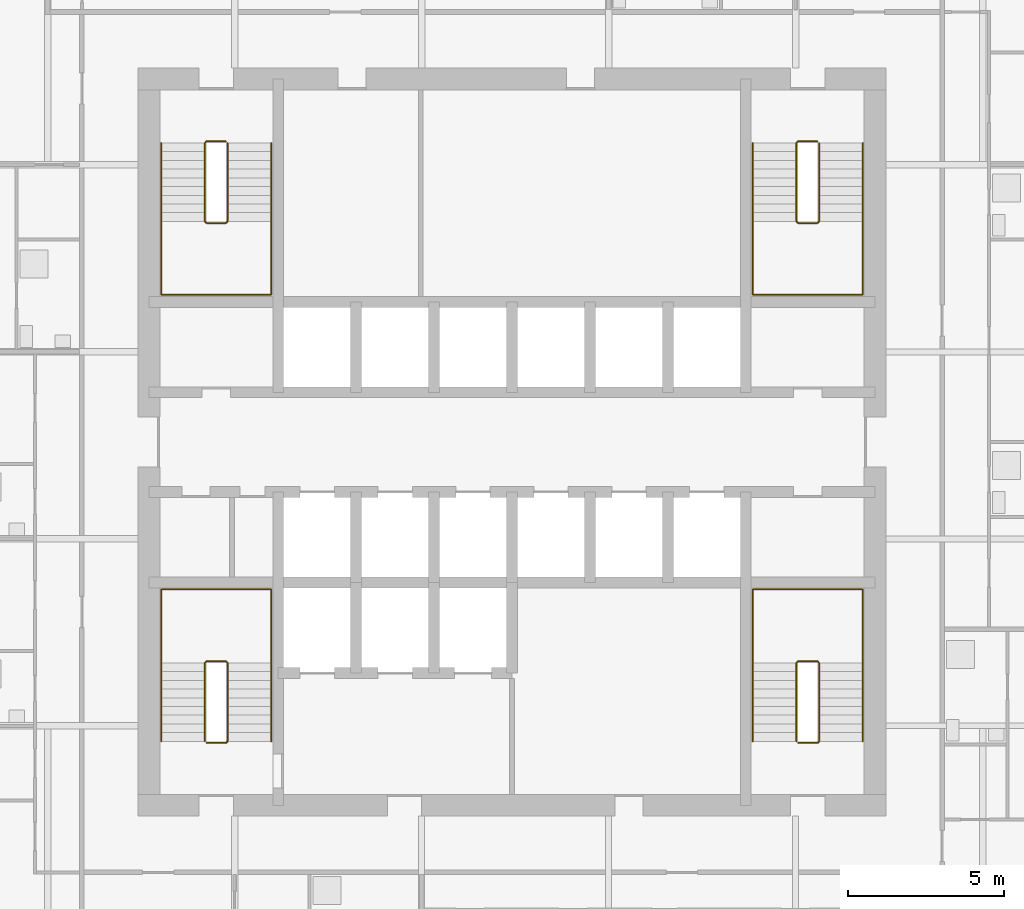
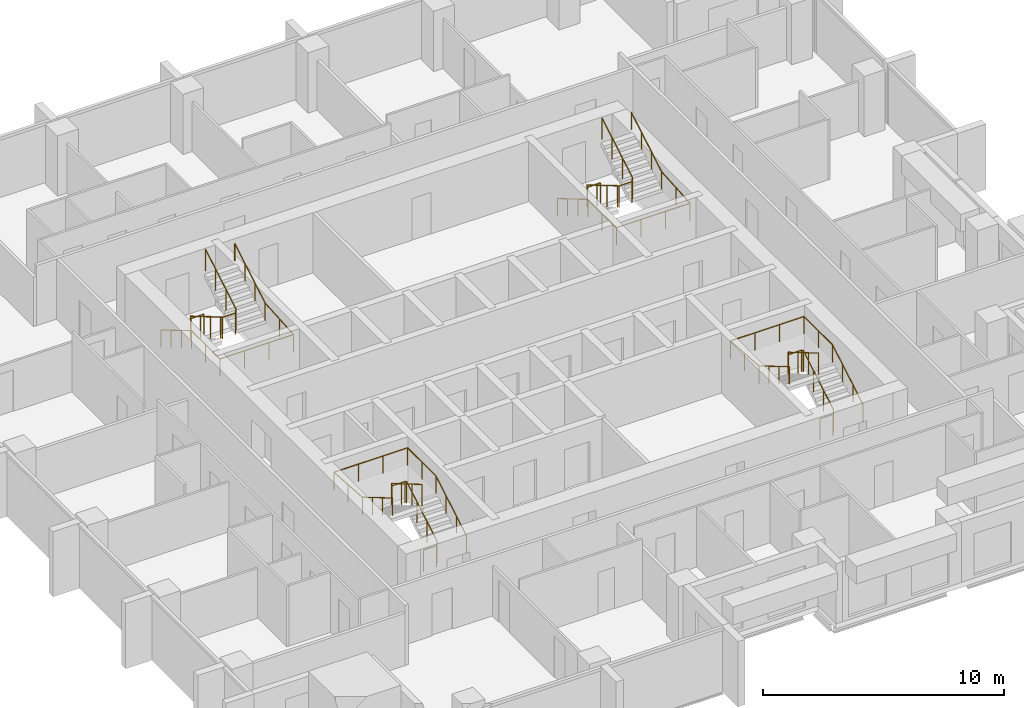
# One storey, part 9 of 10: 8 railings.
"""IFC4 building model written with IfcOpenShell, lengths in metres."""

from ifc_helpers import new_model, si_unit, direction, frame, origin, origin_2d, place, context, subcontext, project, spatial, circle, extrude, material, type_object, element, save


model = new_model("IFC4")

# Units and contexts
model_context = context("Model", 3, precision=1e-05, world=origin(), true_north=direction((0.0, 1.0)))
body_context = subcontext(model_context, "Body", "Model", "MODEL_VIEW")
ifc_project = project(units=[si_unit("LENGTHUNIT", "METRE"), si_unit("AREAUNIT", "SQUARE_METRE"), si_unit("VOLUMEUNIT", "CUBIC_METRE"), si_unit("PLANEANGLEUNIT", "RADIAN"), si_unit("MASSUNIT", "GRAM", prefix="KILO")], contexts=[model_context])

# Site, building, storey
site_placement = place(None, origin())
site = spatial("IfcSite", under=ifc_project, at=site_placement, CompositionType="ELEMENT")
building_placement = place(site_placement, origin())
building = spatial("IfcBuilding", under=site, at=building_placement, Name="Amberfall Residences", CompositionType="ELEMENT")
storey_placement = place(building_placement, frame((0.0, 0.0, 140.5)))
storey = spatial("IfcBuildingStorey", under=building, at=storey_placement, Name="L37", CompositionType="ELEMENT", Elevation=140.5)

# Railings
ifc_material = material(Name="Stainless steel 316", Category="steel")
railing_type_1 = type_object("IfcRailingType", Name="Stair guard 1100", PredefinedType="GUARDRAIL", material=ifc_material)
railing_1_placement = place(storey_placement, frame((64.699951171875, 35.85009765625, 0.0)))
element("IfcRailing", 1, at=railing_1_placement, inside=storey, type_object=railing_type_1, Name="L37 stair 1 guard", PredefinedType="GUARDRAIL", context=body_context, shape_type="SweptSolid", body=[
    extrude(circle(Radius=0.02392578125, at=origin_2d()), frame((0.0, 0.0, 1.076171875), z_axis=(1.0, 0.0, 0.0), x_axis=(0.0, 1.0, 0.0)), (0.0, 0.0, 1.0), 0.625),
    extrude(circle(Radius=0.02392578125, at=origin_2d()), frame((0.625, 0.0, 1.076171875), z_axis=(0.278810427259, 0.277450376394, 0.919394384522), x_axis=(-0.705375805398, 0.708833529934, 0.0)), (0.0, 0.0, 1.0), 0.179443359375),
    extrude(circle(Radius=0.02392578125, at=origin_2d()), frame((0.675048828125, 0.0498046875, 1.2412109375), z_axis=(0.0, 0.861560626758, 0.507654692109), x_axis=(-1.0, 0.0, 0.0)), (0.0, 0.0, 1.0), 2.925048828125),
    extrude(circle(Radius=0.02392578125, at=origin_2d()), frame((0.675048828125, 2.56982421875, 2.72607421875), z_axis=(-0.707106781187, 0.707106781187, 0.0), x_axis=(-0.707106781187, -0.707106781187, 0.0)), (0.0, 0.0, 1.0), 0.07080078125),
    extrude(circle(Radius=0.02392578125, at=origin_2d()), frame((0.625, 2.619873046875, 2.72607421875), z_axis=(-1.0, 0.0, 0.0), x_axis=(0.0, -1.0, 0.0)), (0.0, 0.0, 1.0), 0.625),
    extrude(circle(Radius=0.02392578125, at=origin_2d()), frame((0.0, 2.619873046875, 2.72607421875), z_axis=(-0.278705021027, -0.278705021027, 0.919046801044), x_axis=(0.707106781187, -0.707106781187, 0.0)), (0.0, 0.0, 1.0), 0.1796875),
    extrude(circle(Radius=0.02392578125, at=origin_2d()), frame((-0.050048828125, 2.56982421875, 2.89111328125), z_axis=(0.0, -0.86152411907, 0.507716645641), x_axis=(1.0, 0.0, 0.0)), (0.0, 0.0, 1.0), 2.925048828125),
    extrude(circle(Radius=0.02099609375, at=origin_2d()), origin(), (0.0, 0.0, 1.0), 1.052001953125),
    extrude(circle(Radius=0.02099609375, at=origin_2d()), frame((0.625, 0.0, 0.0)), (0.0, 0.0, 1.0), 1.052001953125),
    extrude(circle(Radius=0.02099609375, at=origin_2d()), frame((0.675048828125, 0.0498046875, 0.1650390625)), (0.0, 0.0, 1.0), 1.052001953125),
    extrude(circle(Radius=0.02099609375, at=origin_2d()), frame((0.675048828125, 0.889892578125, 0.659912109375)), (0.0, 0.0, 1.0), 1.052001953125),
    extrude(circle(Radius=0.02099609375, at=origin_2d()), frame((0.675048828125, 1.729736328125, 1.155029296875)), (0.0, 0.0, 1.0), 1.052001953125),
    extrude(circle(Radius=0.02099609375, at=origin_2d()), frame((0.675048828125, 2.56982421875, 1.64990234375)), (0.0, 0.0, 1.0), 1.052001953125),
    extrude(circle(Radius=0.02099609375, at=origin_2d()), frame((0.625, 2.619873046875, 1.64990234375)), (0.0, 0.0, 1.0), 1.052001953125),
    extrude(circle(Radius=0.02099609375, at=origin_2d()), frame((0.0, 2.619873046875, 1.64990234375)), (0.0, 0.0, 1.0), 1.052001953125),
    extrude(circle(Radius=0.02099609375, at=origin_2d()), frame((-0.050048828125, 2.56982421875, 1.81494140625)), (0.0, 0.0, 1.0), 1.052001953125),
    extrude(circle(Radius=0.02099609375, at=origin_2d()), frame((-0.050048828125, 1.729736328125, 2.31005859375)), (0.0, 0.0, 1.0), 1.052001953125),
    extrude(circle(Radius=0.02099609375, at=origin_2d()), frame((-0.050048828125, 0.889892578125, 2.804931640625)), (0.0, 0.0, 1.0), 1.052001953125),
    extrude(circle(Radius=0.02099609375, at=origin_2d()), frame((-0.050048828125, 0.0498046875, 3.300048828125)), (0.0, 0.0, 1.0), 1.052001953125),
])
railing_2_placement = place(storey_placement, frame((83.675048828125, 35.85009765625, 0.0)))
element("IfcRailing", 2, at=railing_2_placement, inside=storey, type_object=railing_type_1, Name="L37 stair 2 guard", PredefinedType="GUARDRAIL", context=body_context, shape_type="SweptSolid", body=[
    extrude(circle(Radius=0.02392578125, at=origin_2d()), frame((0.0, 0.0, 1.076171875), z_axis=(1.0, 0.0, 0.0), x_axis=(0.0, 1.0, 0.0)), (0.0, 0.0, 1.0), 0.625),
    extrude(circle(Radius=0.02392578125, at=origin_2d()), frame((0.625, 0.0, 1.076171875), z_axis=(0.278810427259, 0.277450376394, 0.919394384522), x_axis=(-0.705375805398, 0.708833529934, 0.0)), (0.0, 0.0, 1.0), 0.179443359375),
    extrude(circle(Radius=0.02392578125, at=origin_2d()), frame((0.675048828125, 0.0498046875, 1.2412109375), z_axis=(0.0, 0.861560626758, 0.507654692109), x_axis=(-1.0, 0.0, 0.0)), (0.0, 0.0, 1.0), 2.925048828125),
    extrude(circle(Radius=0.02392578125, at=origin_2d()), frame((0.675048828125, 2.56982421875, 2.72607421875), z_axis=(-0.707106781187, 0.707106781187, 0.0), x_axis=(-0.707106781187, -0.707106781187, 0.0)), (0.0, 0.0, 1.0), 0.07080078125),
    extrude(circle(Radius=0.02392578125, at=origin_2d()), frame((0.625, 2.619873046875, 2.72607421875), z_axis=(-1.0, 0.0, 0.0), x_axis=(0.0, -1.0, 0.0)), (0.0, 0.0, 1.0), 0.625),
    extrude(circle(Radius=0.02392578125, at=origin_2d()), frame((0.0, 2.619873046875, 2.72607421875), z_axis=(-0.278705021027, -0.278705021027, 0.919046801044), x_axis=(0.707106781187, -0.707106781187, 0.0)), (0.0, 0.0, 1.0), 0.1796875),
    extrude(circle(Radius=0.02392578125, at=origin_2d()), frame((-0.050048828125, 2.56982421875, 2.89111328125), z_axis=(0.0, -0.86152411907, 0.507716645641), x_axis=(1.0, 0.0, 0.0)), (0.0, 0.0, 1.0), 2.925048828125),
    extrude(circle(Radius=0.02099609375, at=origin_2d()), origin(), (0.0, 0.0, 1.0), 1.052001953125),
    extrude(circle(Radius=0.02099609375, at=origin_2d()), frame((0.625, 0.0, 0.0)), (0.0, 0.0, 1.0), 1.052001953125),
    extrude(circle(Radius=0.02099609375, at=origin_2d()), frame((0.675048828125, 0.0498046875, 0.1650390625)), (0.0, 0.0, 1.0), 1.052001953125),
    extrude(circle(Radius=0.02099609375, at=origin_2d()), frame((0.675048828125, 0.889892578125, 0.659912109375)), (0.0, 0.0, 1.0), 1.052001953125),
    extrude(circle(Radius=0.02099609375, at=origin_2d()), frame((0.675048828125, 1.729736328125, 1.155029296875)), (0.0, 0.0, 1.0), 1.052001953125),
    extrude(circle(Radius=0.02099609375, at=origin_2d()), frame((0.675048828125, 2.56982421875, 1.64990234375)), (0.0, 0.0, 1.0), 1.052001953125),
    extrude(circle(Radius=0.02099609375, at=origin_2d()), frame((0.625, 2.619873046875, 1.64990234375)), (0.0, 0.0, 1.0), 1.052001953125),
    extrude(circle(Radius=0.02099609375, at=origin_2d()), frame((0.0, 2.619873046875, 1.64990234375)), (0.0, 0.0, 1.0), 1.052001953125),
    extrude(circle(Radius=0.02099609375, at=origin_2d()), frame((-0.050048828125, 2.56982421875, 1.81494140625)), (0.0, 0.0, 1.0), 1.052001953125),
    extrude(circle(Radius=0.02099609375, at=origin_2d()), frame((-0.050048828125, 1.729736328125, 2.31005859375)), (0.0, 0.0, 1.0), 1.052001953125),
    extrude(circle(Radius=0.02099609375, at=origin_2d()), frame((-0.050048828125, 0.889892578125, 2.804931640625)), (0.0, 0.0, 1.0), 1.052001953125),
    extrude(circle(Radius=0.02099609375, at=origin_2d()), frame((-0.050048828125, 0.0498046875, 3.300048828125)), (0.0, 0.0, 1.0), 1.052001953125),
])
railing_3_placement = place(storey_placement, frame((84.300048828125, 55.14990234375, 0.0)))
element("IfcRailing", 3, at=railing_3_placement, inside=storey, type_object=railing_type_1, Name="L37 stair 3 guard", PredefinedType="GUARDRAIL", context=body_context, shape_type="SweptSolid", body=[
    extrude(circle(Radius=0.02392578125, at=origin_2d()), frame((0.0, 0.0, 1.076171875), z_axis=(-1.0, 0.0, 0.0), x_axis=(0.0, -1.0, 0.0)), (0.0, 0.0, 1.0), 0.625),
    extrude(circle(Radius=0.02392578125, at=origin_2d()), frame((-0.625, 0.0, 1.076171875), z_axis=(-0.278810427259, -0.277450376394, 0.919394384522), x_axis=(0.705375805398, -0.708833529934, 0.0)), (0.0, 0.0, 1.0), 0.179443359375),
    extrude(circle(Radius=0.02392578125, at=origin_2d()), frame((-0.675048828125, -0.0498046875, 1.2412109375), z_axis=(0.0, -0.861560626758, 0.507654692109), x_axis=(1.0, 0.0, 0.0)), (0.0, 0.0, 1.0), 2.925048828125),
    extrude(circle(Radius=0.02392578125, at=origin_2d()), frame((-0.675048828125, -2.56982421875, 2.72607421875), z_axis=(0.707106781187, -0.707106781187, 0.0), x_axis=(0.707106781187, 0.707106781187, 0.0)), (0.0, 0.0, 1.0), 0.07080078125),
    extrude(circle(Radius=0.02392578125, at=origin_2d()), frame((-0.625, -2.619873046875, 2.72607421875), z_axis=(1.0, 0.0, 0.0), x_axis=(0.0, 1.0, 0.0)), (0.0, 0.0, 1.0), 0.625),
    extrude(circle(Radius=0.02392578125, at=origin_2d()), frame((0.0, -2.619873046875, 2.72607421875), z_axis=(0.278705021027, 0.278705021027, 0.919046801044), x_axis=(-0.707106781187, 0.707106781187, 0.0)), (0.0, 0.0, 1.0), 0.1796875),
    extrude(circle(Radius=0.02392578125, at=origin_2d()), frame((0.050048828125, -2.56982421875, 2.89111328125), z_axis=(0.0, 0.86152411907, 0.507716645641), x_axis=(-1.0, 0.0, 0.0)), (0.0, 0.0, 1.0), 2.925048828125),
    extrude(circle(Radius=0.02099609375, at=origin_2d()), origin(), (0.0, 0.0, 1.0), 1.052001953125),
    extrude(circle(Radius=0.02099609375, at=origin_2d()), frame((-0.625, 0.0, 0.0)), (0.0, 0.0, 1.0), 1.052001953125),
    extrude(circle(Radius=0.02099609375, at=origin_2d()), frame((-0.675048828125, -0.0498046875, 0.1650390625)), (0.0, 0.0, 1.0), 1.052001953125),
    extrude(circle(Radius=0.02099609375, at=origin_2d()), frame((-0.675048828125, -0.889892578125, 0.659912109375)), (0.0, 0.0, 1.0), 1.052001953125),
    extrude(circle(Radius=0.02099609375, at=origin_2d()), frame((-0.675048828125, -1.729736328125, 1.155029296875)), (0.0, 0.0, 1.0), 1.052001953125),
    extrude(circle(Radius=0.02099609375, at=origin_2d()), frame((-0.675048828125, -2.56982421875, 1.64990234375)), (0.0, 0.0, 1.0), 1.052001953125),
    extrude(circle(Radius=0.02099609375, at=origin_2d()), frame((-0.625, -2.619873046875, 1.64990234375)), (0.0, 0.0, 1.0), 1.052001953125),
    extrude(circle(Radius=0.02099609375, at=origin_2d()), frame((0.0, -2.619873046875, 1.64990234375)), (0.0, 0.0, 1.0), 1.052001953125),
    extrude(circle(Radius=0.02099609375, at=origin_2d()), frame((0.050048828125, -2.56982421875, 1.81494140625)), (0.0, 0.0, 1.0), 1.052001953125),
    extrude(circle(Radius=0.02099609375, at=origin_2d()), frame((0.050048828125, -1.729736328125, 2.31005859375)), (0.0, 0.0, 1.0), 1.052001953125),
    extrude(circle(Radius=0.02099609375, at=origin_2d()), frame((0.050048828125, -0.889892578125, 2.804931640625)), (0.0, 0.0, 1.0), 1.052001953125),
    extrude(circle(Radius=0.02099609375, at=origin_2d()), frame((0.050048828125, -0.0498046875, 3.300048828125)), (0.0, 0.0, 1.0), 1.052001953125),
])
railing_4_placement = place(storey_placement, frame((65.324951171875, 55.14990234375, 0.0)))
element("IfcRailing", 4, at=railing_4_placement, inside=storey, type_object=railing_type_1, Name="L37 stair 4 guard", PredefinedType="GUARDRAIL", context=body_context, shape_type="SweptSolid", body=[
    extrude(circle(Radius=0.02392578125, at=origin_2d()), frame((0.0, 0.0, 1.076171875), z_axis=(-1.0, 0.0, 0.0), x_axis=(0.0, -1.0, 0.0)), (0.0, 0.0, 1.0), 0.625),
    extrude(circle(Radius=0.02392578125, at=origin_2d()), frame((-0.625, 0.0, 1.076171875), z_axis=(-0.278810427259, -0.277450376394, 0.919394384522), x_axis=(0.705375805398, -0.708833529934, 0.0)), (0.0, 0.0, 1.0), 0.179443359375),
    extrude(circle(Radius=0.02392578125, at=origin_2d()), frame((-0.675048828125, -0.0498046875, 1.2412109375), z_axis=(0.0, -0.861560626758, 0.507654692109), x_axis=(1.0, 0.0, 0.0)), (0.0, 0.0, 1.0), 2.925048828125),
    extrude(circle(Radius=0.02392578125, at=origin_2d()), frame((-0.675048828125, -2.56982421875, 2.72607421875), z_axis=(0.707106781187, -0.707106781187, 0.0), x_axis=(0.707106781187, 0.707106781187, 0.0)), (0.0, 0.0, 1.0), 0.07080078125),
    extrude(circle(Radius=0.02392578125, at=origin_2d()), frame((-0.625, -2.619873046875, 2.72607421875), z_axis=(1.0, 0.0, 0.0), x_axis=(0.0, 1.0, 0.0)), (0.0, 0.0, 1.0), 0.625),
    extrude(circle(Radius=0.02392578125, at=origin_2d()), frame((0.0, -2.619873046875, 2.72607421875), z_axis=(0.278705021027, 0.278705021027, 0.919046801044), x_axis=(-0.707106781187, 0.707106781187, 0.0)), (0.0, 0.0, 1.0), 0.1796875),
    extrude(circle(Radius=0.02392578125, at=origin_2d()), frame((0.050048828125, -2.56982421875, 2.89111328125), z_axis=(0.0, 0.86152411907, 0.507716645641), x_axis=(-1.0, 0.0, 0.0)), (0.0, 0.0, 1.0), 2.925048828125),
    extrude(circle(Radius=0.02099609375, at=origin_2d()), origin(), (0.0, 0.0, 1.0), 1.052001953125),
    extrude(circle(Radius=0.02099609375, at=origin_2d()), frame((-0.625, 0.0, 0.0)), (0.0, 0.0, 1.0), 1.052001953125),
    extrude(circle(Radius=0.02099609375, at=origin_2d()), frame((-0.675048828125, -0.0498046875, 0.1650390625)), (0.0, 0.0, 1.0), 1.052001953125),
    extrude(circle(Radius=0.02099609375, at=origin_2d()), frame((-0.675048828125, -0.889892578125, 0.659912109375)), (0.0, 0.0, 1.0), 1.052001953125),
    extrude(circle(Radius=0.02099609375, at=origin_2d()), frame((-0.675048828125, -1.729736328125, 1.155029296875)), (0.0, 0.0, 1.0), 1.052001953125),
    extrude(circle(Radius=0.02099609375, at=origin_2d()), frame((-0.675048828125, -2.56982421875, 1.64990234375)), (0.0, 0.0, 1.0), 1.052001953125),
    extrude(circle(Radius=0.02099609375, at=origin_2d()), frame((-0.625, -2.619873046875, 1.64990234375)), (0.0, 0.0, 1.0), 1.052001953125),
    extrude(circle(Radius=0.02099609375, at=origin_2d()), frame((0.0, -2.619873046875, 1.64990234375)), (0.0, 0.0, 1.0), 1.052001953125),
    extrude(circle(Radius=0.02099609375, at=origin_2d()), frame((0.050048828125, -2.56982421875, 1.81494140625)), (0.0, 0.0, 1.0), 1.052001953125),
    extrude(circle(Radius=0.02099609375, at=origin_2d()), frame((0.050048828125, -1.729736328125, 2.31005859375)), (0.0, 0.0, 1.0), 1.052001953125),
    extrude(circle(Radius=0.02099609375, at=origin_2d()), frame((0.050048828125, -0.889892578125, 2.804931640625)), (0.0, 0.0, 1.0), 1.052001953125),
    extrude(circle(Radius=0.02099609375, at=origin_2d()), frame((0.050048828125, -0.0498046875, 3.300048828125)), (0.0, 0.0, 1.0), 1.052001953125),
])
railing_type_2 = type_object("IfcRailingType", Name="Stair handrail 900", PredefinedType="HANDRAIL", material=ifc_material)
railing_5_placement = place(storey_placement, frame((66.77490234375, 35.89990234375, 0.1650390625)))
element("IfcRailing", 5, at=railing_5_placement, inside=storey, type_object=railing_type_2, Name="L37 stair 1 handrail", PredefinedType="HANDRAIL", context=body_context, shape_type="SweptSolid", body=[
    extrude(circle(Radius=0.02392578125, at=origin_2d()), frame((0.0, 0.0, 0.8759765625), z_axis=(0.0, 0.861560626758, 0.507654692109), x_axis=(-1.0, 0.0, 0.0)), (0.0, 0.0, 1.0), 2.925048828125),
    extrude(circle(Radius=0.02392578125, at=origin_2d()), frame((0.0, 2.52001953125, 2.36083984375), z_axis=(0.0, 1.0, 0.0), x_axis=(-1.0, 0.0, 0.0)), (0.0, 0.0, 1.0), 2.35498046875),
    extrude(circle(Radius=0.02392578125, at=origin_2d()), frame((0.0, 4.875, 2.36083984375), z_axis=(-1.0, 0.0, 0.0), x_axis=(0.0, -1.0, 0.0)), (0.0, 0.0, 1.0), 3.52490234375),
    extrude(circle(Radius=0.02392578125, at=origin_2d()), frame((-3.52490234375, 4.875, 2.36083984375), z_axis=(0.0, -0.997553344917, 0.069909398835), x_axis=(1.0, 0.0, 0.0)), (0.0, 0.0, 1.0), 2.36083984375),
    extrude(circle(Radius=0.02392578125, at=origin_2d()), frame((-3.52490234375, 2.52001953125, 2.52587890625), z_axis=(0.0, -0.86152411907, 0.507716645641), x_axis=(1.0, 0.0, 0.0)), (0.0, 0.0, 1.0), 2.925048828125),
    extrude(circle(Radius=0.02099609375, at=origin_2d()), origin(), (0.0, 0.0, 1.0), 0.851806640625),
    extrude(circle(Radius=0.02099609375, at=origin_2d()), frame((0.0, 0.840087890625, 0.494873046875)), (0.0, 0.0, 1.0), 0.851806640625),
    extrude(circle(Radius=0.02099609375, at=origin_2d()), frame((0.0, 1.679931640625, 0.989990234375)), (0.0, 0.0, 1.0), 0.851806640625),
    extrude(circle(Radius=0.02099609375, at=origin_2d()), frame((0.0, 2.52001953125, 1.48486328125)), (0.0, 0.0, 1.0), 0.851806640625),
    extrude(circle(Radius=0.02099609375, at=origin_2d()), frame((0.0, 3.697509765625, 1.48486328125)), (0.0, 0.0, 1.0), 0.851806640625),
    extrude(circle(Radius=0.02099609375, at=origin_2d()), frame((0.0, 4.875, 1.48486328125)), (0.0, 0.0, 1.0), 0.851806640625),
    extrude(circle(Radius=0.02099609375, at=origin_2d()), frame((-1.175048828125, 4.875, 1.48486328125)), (0.0, 0.0, 1.0), 0.851806640625),
    extrude(circle(Radius=0.02099609375, at=origin_2d()), frame((-2.349853515625, 4.875, 1.48486328125)), (0.0, 0.0, 1.0), 0.851806640625),
    extrude(circle(Radius=0.02099609375, at=origin_2d()), frame((-3.52490234375, 4.875, 1.48486328125)), (0.0, 0.0, 1.0), 0.851806640625),
    extrude(circle(Radius=0.02099609375, at=origin_2d()), frame((-3.52490234375, 3.697509765625, 1.5673828125)), (0.0, 0.0, 1.0), 0.851806640625),
    extrude(circle(Radius=0.02099609375, at=origin_2d()), frame((-3.52490234375, 2.52001953125, 1.64990234375)), (0.0, 0.0, 1.0), 0.851806640625),
    extrude(circle(Radius=0.02099609375, at=origin_2d()), frame((-3.52490234375, 1.679931640625, 2.14501953125)), (0.0, 0.0, 1.0), 0.851806640625),
    extrude(circle(Radius=0.02099609375, at=origin_2d()), frame((-3.52490234375, 0.840087890625, 2.639892578125)), (0.0, 0.0, 1.0), 0.851806640625),
    extrude(circle(Radius=0.02099609375, at=origin_2d()), frame((-3.52490234375, 0.0, 3.135009765625)), (0.0, 0.0, 1.0), 0.851806640625),
])
railing_6_placement = place(storey_placement, frame((85.75, 35.89990234375, 0.1650390625)))
element("IfcRailing", 6, at=railing_6_placement, inside=storey, type_object=railing_type_2, Name="L37 stair 2 handrail", PredefinedType="HANDRAIL", context=body_context, shape_type="SweptSolid", body=[
    extrude(circle(Radius=0.02392578125, at=origin_2d()), frame((0.0, 0.0, 0.8759765625), z_axis=(0.0, 0.861560626758, 0.507654692109), x_axis=(-1.0, 0.0, 0.0)), (0.0, 0.0, 1.0), 2.925048828125),
    extrude(circle(Radius=0.02392578125, at=origin_2d()), frame((0.0, 2.52001953125, 2.36083984375), z_axis=(0.0, 1.0, 0.0), x_axis=(-1.0, 0.0, 0.0)), (0.0, 0.0, 1.0), 2.35498046875),
    extrude(circle(Radius=0.02392578125, at=origin_2d()), frame((0.0, 4.875, 2.36083984375), z_axis=(-1.0, 0.0, 0.0), x_axis=(0.0, -1.0, 0.0)), (0.0, 0.0, 1.0), 3.52490234375),
    extrude(circle(Radius=0.02392578125, at=origin_2d()), frame((-3.52490234375, 4.875, 2.36083984375), z_axis=(0.0, -0.997553344917, 0.069909398835), x_axis=(1.0, 0.0, 0.0)), (0.0, 0.0, 1.0), 2.36083984375),
    extrude(circle(Radius=0.02392578125, at=origin_2d()), frame((-3.52490234375, 2.52001953125, 2.52587890625), z_axis=(0.0, -0.86152411907, 0.507716645641), x_axis=(1.0, 0.0, 0.0)), (0.0, 0.0, 1.0), 2.925048828125),
    extrude(circle(Radius=0.02099609375, at=origin_2d()), origin(), (0.0, 0.0, 1.0), 0.851806640625),
    extrude(circle(Radius=0.02099609375, at=origin_2d()), frame((0.0, 0.840087890625, 0.494873046875)), (0.0, 0.0, 1.0), 0.851806640625),
    extrude(circle(Radius=0.02099609375, at=origin_2d()), frame((0.0, 1.679931640625, 0.989990234375)), (0.0, 0.0, 1.0), 0.851806640625),
    extrude(circle(Radius=0.02099609375, at=origin_2d()), frame((0.0, 2.52001953125, 1.48486328125)), (0.0, 0.0, 1.0), 0.851806640625),
    extrude(circle(Radius=0.02099609375, at=origin_2d()), frame((0.0, 3.697509765625, 1.48486328125)), (0.0, 0.0, 1.0), 0.851806640625),
    extrude(circle(Radius=0.02099609375, at=origin_2d()), frame((0.0, 4.875, 1.48486328125)), (0.0, 0.0, 1.0), 0.851806640625),
    extrude(circle(Radius=0.02099609375, at=origin_2d()), frame((-1.175048828125, 4.875, 1.48486328125)), (0.0, 0.0, 1.0), 0.851806640625),
    extrude(circle(Radius=0.02099609375, at=origin_2d()), frame((-2.349853515625, 4.875, 1.48486328125)), (0.0, 0.0, 1.0), 0.851806640625),
    extrude(circle(Radius=0.02099609375, at=origin_2d()), frame((-3.52490234375, 4.875, 1.48486328125)), (0.0, 0.0, 1.0), 0.851806640625),
    extrude(circle(Radius=0.02099609375, at=origin_2d()), frame((-3.52490234375, 3.697509765625, 1.5673828125)), (0.0, 0.0, 1.0), 0.851806640625),
    extrude(circle(Radius=0.02099609375, at=origin_2d()), frame((-3.52490234375, 2.52001953125, 1.64990234375)), (0.0, 0.0, 1.0), 0.851806640625),
    extrude(circle(Radius=0.02099609375, at=origin_2d()), frame((-3.52490234375, 1.679931640625, 2.14501953125)), (0.0, 0.0, 1.0), 0.851806640625),
    extrude(circle(Radius=0.02099609375, at=origin_2d()), frame((-3.52490234375, 0.840087890625, 2.639892578125)), (0.0, 0.0, 1.0), 0.851806640625),
    extrude(circle(Radius=0.02099609375, at=origin_2d()), frame((-3.52490234375, 0.0, 3.135009765625)), (0.0, 0.0, 1.0), 0.851806640625),
])
railing_7_placement = place(storey_placement, frame((82.22509765625, 55.10009765625, 0.1650390625)))
element("IfcRailing", 7, at=railing_7_placement, inside=storey, type_object=railing_type_2, Name="L37 stair 3 handrail", PredefinedType="HANDRAIL", context=body_context, shape_type="SweptSolid", body=[
    extrude(circle(Radius=0.02392578125, at=origin_2d()), frame((0.0, 0.0, 0.8759765625), z_axis=(0.0, -0.861560626758, 0.507654692109), x_axis=(1.0, 0.0, 0.0)), (0.0, 0.0, 1.0), 2.925048828125),
    extrude(circle(Radius=0.02392578125, at=origin_2d()), frame((0.0, -2.52001953125, 2.36083984375), z_axis=(0.0, -1.0, 0.0), x_axis=(1.0, 0.0, 0.0)), (0.0, 0.0, 1.0), 2.35498046875),
    extrude(circle(Radius=0.02392578125, at=origin_2d()), frame((0.0, -4.875, 2.36083984375), z_axis=(1.0, 0.0, 0.0), x_axis=(0.0, 1.0, 0.0)), (0.0, 0.0, 1.0), 3.52490234375),
    extrude(circle(Radius=0.02392578125, at=origin_2d()), frame((3.52490234375, -4.875, 2.36083984375), z_axis=(0.0, 0.997553344917, 0.069909398835), x_axis=(-1.0, 0.0, 0.0)), (0.0, 0.0, 1.0), 2.36083984375),
    extrude(circle(Radius=0.02392578125, at=origin_2d()), frame((3.52490234375, -2.52001953125, 2.52587890625), z_axis=(0.0, 0.86152411907, 0.507716645641), x_axis=(-1.0, 0.0, 0.0)), (0.0, 0.0, 1.0), 2.925048828125),
    extrude(circle(Radius=0.02099609375, at=origin_2d()), origin(), (0.0, 0.0, 1.0), 0.851806640625),
    extrude(circle(Radius=0.02099609375, at=origin_2d()), frame((0.0, -0.840087890625, 0.494873046875)), (0.0, 0.0, 1.0), 0.851806640625),
    extrude(circle(Radius=0.02099609375, at=origin_2d()), frame((0.0, -1.679931640625, 0.989990234375)), (0.0, 0.0, 1.0), 0.851806640625),
    extrude(circle(Radius=0.02099609375, at=origin_2d()), frame((0.0, -2.52001953125, 1.48486328125)), (0.0, 0.0, 1.0), 0.851806640625),
    extrude(circle(Radius=0.02099609375, at=origin_2d()), frame((0.0, -3.697509765625, 1.48486328125)), (0.0, 0.0, 1.0), 0.851806640625),
    extrude(circle(Radius=0.02099609375, at=origin_2d()), frame((0.0, -4.875, 1.48486328125)), (0.0, 0.0, 1.0), 0.851806640625),
    extrude(circle(Radius=0.02099609375, at=origin_2d()), frame((1.175048828125, -4.875, 1.48486328125)), (0.0, 0.0, 1.0), 0.851806640625),
    extrude(circle(Radius=0.02099609375, at=origin_2d()), frame((2.349853515625, -4.875, 1.48486328125)), (0.0, 0.0, 1.0), 0.851806640625),
    extrude(circle(Radius=0.02099609375, at=origin_2d()), frame((3.52490234375, -4.875, 1.48486328125)), (0.0, 0.0, 1.0), 0.851806640625),
    extrude(circle(Radius=0.02099609375, at=origin_2d()), frame((3.52490234375, -3.697509765625, 1.5673828125)), (0.0, 0.0, 1.0), 0.851806640625),
    extrude(circle(Radius=0.02099609375, at=origin_2d()), frame((3.52490234375, -2.52001953125, 1.64990234375)), (0.0, 0.0, 1.0), 0.851806640625),
    extrude(circle(Radius=0.02099609375, at=origin_2d()), frame((3.52490234375, -1.679931640625, 2.14501953125)), (0.0, 0.0, 1.0), 0.851806640625),
    extrude(circle(Radius=0.02099609375, at=origin_2d()), frame((3.52490234375, -0.840087890625, 2.639892578125)), (0.0, 0.0, 1.0), 0.851806640625),
    extrude(circle(Radius=0.02099609375, at=origin_2d()), frame((3.52490234375, 0.0, 3.135009765625)), (0.0, 0.0, 1.0), 0.851806640625),
])
railing_8_placement = place(storey_placement, frame((63.25, 55.10009765625, 0.1650390625)))
element("IfcRailing", 8, at=railing_8_placement, inside=storey, type_object=railing_type_2, Name="L37 stair 4 handrail", PredefinedType="HANDRAIL", context=body_context, shape_type="SweptSolid", body=[
    extrude(circle(Radius=0.02392578125, at=origin_2d()), frame((0.0, 0.0, 0.8759765625), z_axis=(0.0, -0.861560626758, 0.507654692109), x_axis=(1.0, 0.0, 0.0)), (0.0, 0.0, 1.0), 2.925048828125),
    extrude(circle(Radius=0.02392578125, at=origin_2d()), frame((0.0, -2.52001953125, 2.36083984375), z_axis=(0.0, -1.0, 0.0), x_axis=(1.0, 0.0, 0.0)), (0.0, 0.0, 1.0), 2.35498046875),
    extrude(circle(Radius=0.02392578125, at=origin_2d()), frame((0.0, -4.875, 2.36083984375), z_axis=(1.0, 0.0, 0.0), x_axis=(0.0, 1.0, 0.0)), (0.0, 0.0, 1.0), 3.52490234375),
    extrude(circle(Radius=0.02392578125, at=origin_2d()), frame((3.52490234375, -4.875, 2.36083984375), z_axis=(0.0, 0.997553344917, 0.069909398835), x_axis=(-1.0, 0.0, 0.0)), (0.0, 0.0, 1.0), 2.36083984375),
    extrude(circle(Radius=0.02392578125, at=origin_2d()), frame((3.52490234375, -2.52001953125, 2.52587890625), z_axis=(0.0, 0.86152411907, 0.507716645641), x_axis=(-1.0, 0.0, 0.0)), (0.0, 0.0, 1.0), 2.925048828125),
    extrude(circle(Radius=0.02099609375, at=origin_2d()), origin(), (0.0, 0.0, 1.0), 0.851806640625),
    extrude(circle(Radius=0.02099609375, at=origin_2d()), frame((0.0, -0.840087890625, 0.494873046875)), (0.0, 0.0, 1.0), 0.851806640625),
    extrude(circle(Radius=0.02099609375, at=origin_2d()), frame((0.0, -1.679931640625, 0.989990234375)), (0.0, 0.0, 1.0), 0.851806640625),
    extrude(circle(Radius=0.02099609375, at=origin_2d()), frame((0.0, -2.52001953125, 1.48486328125)), (0.0, 0.0, 1.0), 0.851806640625),
    extrude(circle(Radius=0.02099609375, at=origin_2d()), frame((0.0, -3.697509765625, 1.48486328125)), (0.0, 0.0, 1.0), 0.851806640625),
    extrude(circle(Radius=0.02099609375, at=origin_2d()), frame((0.0, -4.875, 1.48486328125)), (0.0, 0.0, 1.0), 0.851806640625),
    extrude(circle(Radius=0.02099609375, at=origin_2d()), frame((1.175048828125, -4.875, 1.48486328125)), (0.0, 0.0, 1.0), 0.851806640625),
    extrude(circle(Radius=0.02099609375, at=origin_2d()), frame((2.349853515625, -4.875, 1.48486328125)), (0.0, 0.0, 1.0), 0.851806640625),
    extrude(circle(Radius=0.02099609375, at=origin_2d()), frame((3.52490234375, -4.875, 1.48486328125)), (0.0, 0.0, 1.0), 0.851806640625),
    extrude(circle(Radius=0.02099609375, at=origin_2d()), frame((3.52490234375, -3.697509765625, 1.5673828125)), (0.0, 0.0, 1.0), 0.851806640625),
    extrude(circle(Radius=0.02099609375, at=origin_2d()), frame((3.52490234375, -2.52001953125, 1.64990234375)), (0.0, 0.0, 1.0), 0.851806640625),
    extrude(circle(Radius=0.02099609375, at=origin_2d()), frame((3.52490234375, -1.679931640625, 2.14501953125)), (0.0, 0.0, 1.0), 0.851806640625),
    extrude(circle(Radius=0.02099609375, at=origin_2d()), frame((3.52490234375, -0.840087890625, 2.639892578125)), (0.0, 0.0, 1.0), 0.851806640625),
    extrude(circle(Radius=0.02099609375, at=origin_2d()), frame((3.52490234375, 0.0, 3.135009765625)), (0.0, 0.0, 1.0), 0.851806640625),
])

save(model, "model.ifc")
